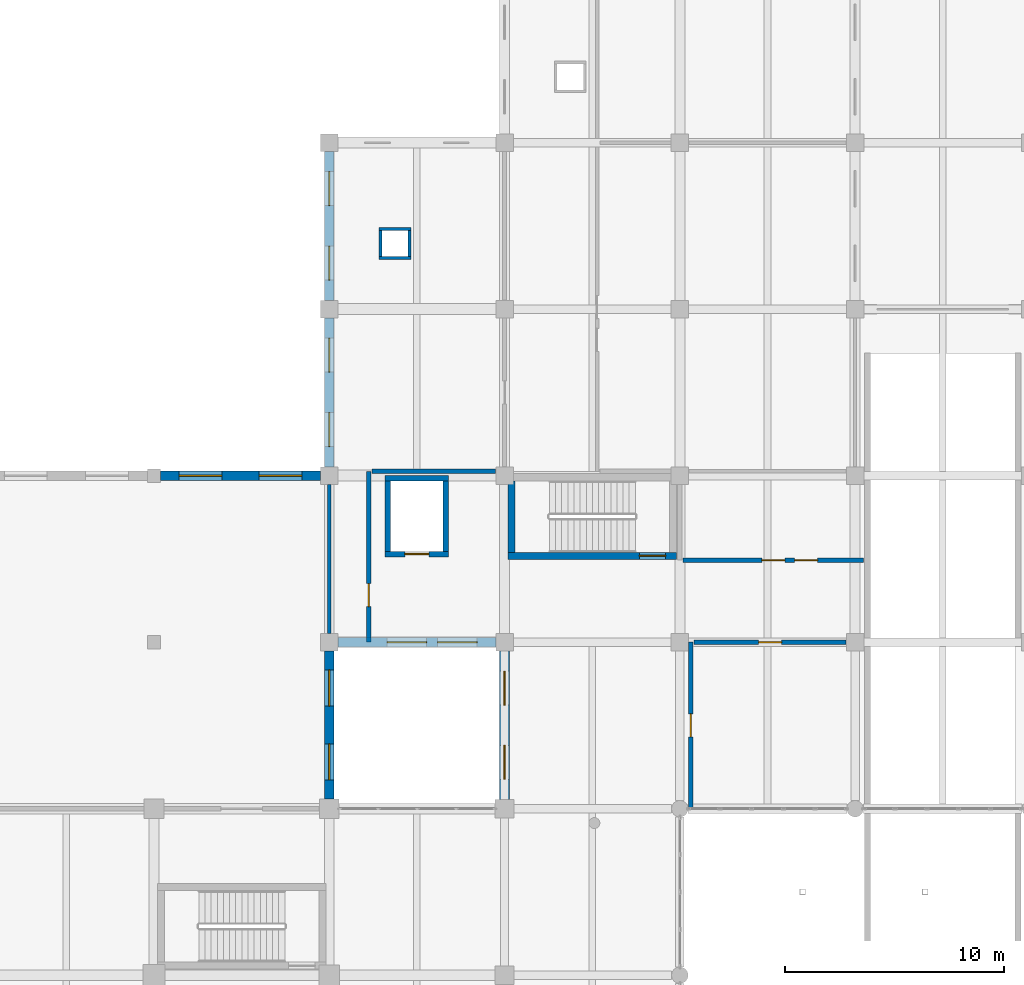
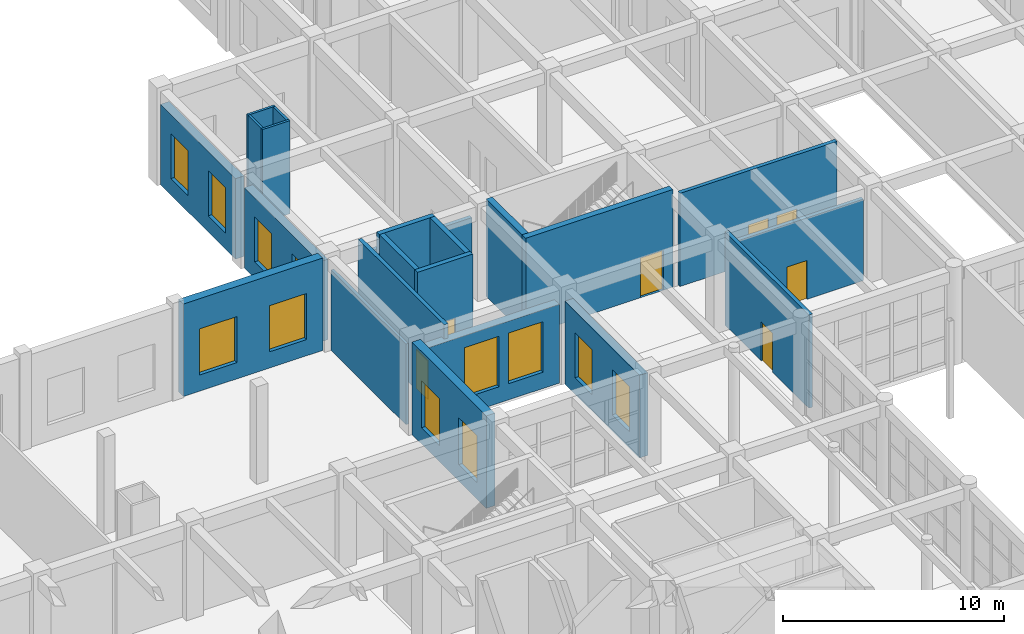
# One storey, part 79 of 95: 22 walls, 12 windows, 7 doors, 19 openings.
"""IFC4 building model written with IfcOpenShell, lengths in metres."""

from ifc_helpers import new_model, si_unit, direction, frame, frame_2d, origin, place, context, subcontext, project, spatial, rectangle, extrude, material, layer, layer_set, type_object, element, fill, save


model = new_model("IFC4")

# Units and contexts
model_context = context("Model", 3, precision=1e-05, world=origin(), true_north=direction((0.0, 1.0)))
body_context = subcontext(model_context, "Body", "Model", "MODEL_VIEW")
ifc_project = project(units=[si_unit("LENGTHUNIT", "METRE"), si_unit("AREAUNIT", "SQUARE_METRE"), si_unit("VOLUMEUNIT", "CUBIC_METRE"), si_unit("PLANEANGLEUNIT", "RADIAN"), si_unit("MASSUNIT", "GRAM", prefix="KILO")], contexts=[model_context])

# Site, building, storey
site_placement = place(None, origin())
site = spatial("IfcSite", under=ifc_project, at=site_placement, CompositionType="ELEMENT")
building_placement = place(site_placement, origin())
building = spatial("IfcBuilding", under=site, at=building_placement, Name="Zantavel Square City Hall", CompositionType="ELEMENT")
storey_placement = place(building_placement, origin())
storey = spatial("IfcBuildingStorey", under=building, at=storey_placement, Name="L01", CompositionType="ELEMENT", Elevation=0.0)

# Wall, opening, door
ifc_material_1 = material(Name="Concrete C40/50", Category="concrete")
ifc_layer_1 = layer(ifc_material_1, 0.320068359375, Name="Concrete C40/50")
ifc_layer_set_1 = layer_set([ifc_layer_1], Name="Concrete C40/50")
wall_type_1 = type_object("IfcWallType", Name="Core Shear Wall RC 320mm C40/50", PredefinedType="SHEAR", material=ifc_layer_set_1)
wall_1_placement = place(storey_placement, frame((119.85009765625, 79.93994140625, 0.0), z_axis=(0.0, 0.0, 1.0), x_axis=(-1.0, 0.0, 0.0)))
wall_1 = element("IfcWall", 1, at=wall_1_placement, inside=storey, type_object=wall_type_1, Name="L01 Exit Stair 2 North-East Core Shear Wall South", PredefinedType="SHEAR", context=body_context, shape_type="SweptSolid", body=[
    extrude(rectangle(XDim=7.7001953125, YDim=0.320068359375, at=frame_2d((3.85009765625, 0.0))), origin(), (0.0, 0.0, 1.0), 5.39990234375),
])
opening_1_placement = place(wall_1_placement, frame((0.5, 0.0, 0.0)))
opening_1 = element("IfcOpeningElement", 2, at=opening_1_placement, cuts=wall_1, Name="Opening SD-008", PredefinedType="OPENING", context=body_context, shape_type="SweptSolid", body=[
    extrude(rectangle(XDim=1.199951171875, YDim=2.199951171875, at=frame_2d((0.60009765625, 1.10009765625))), frame((0.0, 0.169921875, 0.0), z_axis=(0.0, -1.0, 0.0), x_axis=(1.0, 0.0, 0.0)), (0.0, 0.0, 1.0), 0.340087890625),
])
ifc_material_2 = material(Name="Steel ASTM A500 Grade B", Category="steel")
door_type_1 = type_object("IfcDoorType", Name="Enclosed Exit Stairwell Fire Door 1200x2200 FD90S", OperationType="NOTDEFINED", PredefinedType="DOOR", material=ifc_material_2)
door_1_placement = place(opening_1_placement, origin())
door_1 = element("IfcDoor", 3, at=door_1_placement, inside=storey, type_object=door_type_1, Name="L01 Exit Stair 2 North-East Core Fire Door", OperationType="SINGLE_SWING_RIGHT", OverallHeight=2.199951171875, OverallWidth=1.199951171875, PredefinedType="DOOR", context=body_context, shape_type="SweptSolid", body=[
    extrude(rectangle(XDim=1.199951171875, YDim=2.199951171875, at=frame_2d((0.60009765625, 1.10009765625))), frame((0.0, 0.02490234375, 0.0), z_axis=(0.0, -1.0, 0.0), x_axis=(1.0, 0.0, 0.0)), (0.0, 0.0, 1.0), 0.050048828125),
])
fill(opening_1, door_1)

# Walls
wall_2_placement = place(storey_placement, frame((112.31005859375, 80.10009765625, 0.0), z_axis=(0.0, 0.0, 1.0), x_axis=(0.0, 1.0, 0.0)))
element("IfcWall", 4, at=wall_2_placement, inside=storey, type_object=wall_type_1, Name="L01 Exit Stair 2 North-East Core Shear Wall West", PredefinedType="SHEAR", context=body_context, shape_type="SweptSolid", body=[
    extrude(rectangle(XDim=3.27001953125, YDim=0.320068359375, at=frame_2d((1.635009765625, 0.0))), origin(), (0.0, 0.0, 1.0), 5.39990234375),
])
ifc_material_3 = material(Name="Gypsum acoustic stud assembly", Category="masonry")
ifc_layer_2 = layer(ifc_material_3, 0.14990234375, Name="Gypsum acoustic stud assembly")
ifc_layer_set_2 = layer_set([ifc_layer_2], Name="Gypsum acoustic stud assembly")
wall_type_2 = type_object("IfcWallType", Name="Department Office Partition 150mm", PredefinedType="PARTITIONING", material=ifc_layer_set_2)
wall_3_placement = place(storey_placement, frame((104.0, 83.18994140625, 0.0), z_axis=(0.0, 0.0, 1.0), x_axis=(0.0, -1.0, 0.0)))
element("IfcWall", 5, at=wall_3_placement, inside=storey, type_object=wall_type_2, Name="L01 Interior Wall IW-L01-0145", PredefinedType="PARTITIONING", context=body_context, shape_type="SweptSolid", body=[
    extrude(rectangle(XDim=6.780029296875, YDim=0.14990234375, at=frame_2d((3.39013671875, 0.0))), origin(), (0.0, 0.0, 1.0), 4.4599609375),
])

# Wall, opening, door
ifc_material_4 = material(Name="Cantera volcanic tuff stone", Category="masonry")
ifc_layer_3 = layer(ifc_material_4, 0.199951171875, Name="Cantera volcanic tuff stone")
ifc_layer_set_3 = layer_set([ifc_layer_3], Name="Cantera volcanic tuff stone")
wall_type_3 = type_object("IfcWallType", Name="Exit Corridor Rated Wall 200mm", PredefinedType="STANDARD", material=ifc_layer_set_3)
wall_4_placement = place(storey_placement, frame((105.800048828125, 76.0, 0.0), z_axis=(0.0, 0.0, 1.0), x_axis=(0.0, 1.0, 0.0)))
wall_4 = element("IfcWall", 6, at=wall_4_placement, inside=storey, type_object=wall_type_3, Name="L01 Interior Wall IW-L01-0092", PredefinedType="STANDARD", context=body_context, shape_type="SweptSolid", body=[
    extrude(rectangle(XDim=7.800048828125, YDim=0.199951171875, at=frame_2d((3.89990234375, 0.0))), origin(), (0.0, 0.0, 1.0), 5.159912109375),
])
opening_2_placement = place(wall_4_placement, frame((1.625, 0.0, 0.0)))
opening_2 = element("IfcOpeningElement", 7, at=opening_2_placement, cuts=wall_4, Name="Opening D-0041", PredefinedType="OPENING", context=body_context, shape_type="SweptSolid", body=[
    extrude(rectangle(XDim=1.050048828125, YDim=2.14990234375, at=frame_2d((0.52490234375, 1.074951171875))), frame((0.0, 0.10986328125, 0.0), z_axis=(0.0, -1.0, 0.0), x_axis=(1.0, 0.0, 0.0)), (0.0, 0.0, 1.0), 0.219970703125),
])
ifc_material_5 = material(Name="Solid oak hardwood", Category="wood")
door_type_2 = type_object("IfcDoorType", Name="Corridor Office Oak Fire Door 1050x2150 FD60S", OperationType="NOTDEFINED", PredefinedType="DOOR", material=ifc_material_5)
door_2_placement = place(opening_2_placement, origin())
door_2 = element("IfcDoor", 8, at=door_2_placement, inside=storey, type_object=door_type_2, Name="L01 L01 Municipal Support Office 1 Door", OperationType="SINGLE_SWING_LEFT", OverallHeight=2.14990234375, OverallWidth=1.050048828125, PredefinedType="DOOR", context=body_context, shape_type="SweptSolid", body=[
    extrude(rectangle(XDim=1.050048828125, YDim=2.14990234375, at=frame_2d((0.52490234375, 1.074951171875))), frame((0.0, 0.02490234375, 0.0), z_axis=(0.0, -1.0, 0.0), x_axis=(1.0, 0.0, 0.0)), (0.0, 0.0, 1.0), 0.050048828125),
])
fill(opening_2, door_2)

# Wall
wall_5_placement = place(storey_placement, frame((105.949951171875, 83.800048828125, 0.0), z_axis=(0.0, 0.0, 1.0), x_axis=(1.0, 0.0, 0.0)))
element("IfcWall", 9, at=wall_5_placement, inside=storey, type_object=wall_type_3, Name="L01 Interior Wall IW-L01-0093", PredefinedType="STANDARD", context=body_context, shape_type="SweptSolid", body=[
    extrude(rectangle(XDim=5.64013671875, YDim=0.199951171875, at=frame_2d((2.820068359375, 0.0))), origin(), (0.0, 0.0, 1.0), 4.360107421875),
])

# Wall, opening, door
wall_6_placement = place(storey_placement, frame((120.5, 76.0, 0.0), z_axis=(0.0, 0.0, 1.0), x_axis=(0.0, -1.0, 0.0)))
wall_6 = element("IfcWall", 10, at=wall_6_placement, inside=storey, type_object=wall_type_3, Name="L01 Interior Wall IW-L01-0148", PredefinedType="STANDARD", context=body_context, shape_type="SweptSolid", body=[
    extrude(rectangle(XDim=7.60009765625, YDim=0.199951171875, at=frame_2d((3.800048828125, 0.0))), origin(), (0.0, 0.0, 1.0), 5.159912109375),
])
opening_3_placement = place(wall_6_placement, frame((3.27490234375, 0.0, 0.0)))
opening_3 = element("IfcOpeningElement", 11, at=opening_3_placement, cuts=wall_6, Name="Opening D-0055", PredefinedType="OPENING", context=body_context, shape_type="SweptSolid", body=[
    extrude(rectangle(XDim=1.050048828125, YDim=2.14990234375, at=frame_2d((0.52490234375, 1.074951171875))), frame((0.0, 0.10986328125, 0.0), z_axis=(0.0, -1.0, 0.0), x_axis=(1.0, 0.0, 0.0)), (0.0, 0.0, 1.0), 0.219970703125),
])
door_3_placement = place(opening_3_placement, origin())
door_3 = element("IfcDoor", 12, at=door_3_placement, inside=storey, type_object=door_type_2, Name="L01 L01 Municipal Support Office 4 Door", OperationType="SINGLE_SWING_LEFT", OverallHeight=2.14990234375, OverallWidth=1.050048828125, PredefinedType="DOOR", context=body_context, shape_type="SweptSolid", body=[
    extrude(rectangle(XDim=1.050048828125, YDim=2.14990234375, at=frame_2d((0.52490234375, 1.074951171875))), frame((0.0, 0.02490234375, 0.0), z_axis=(0.0, -1.0, 0.0), x_axis=(1.0, 0.0, 0.0)), (0.0, 0.0, 1.0), 0.050048828125),
])
fill(opening_3, door_3)

# Wall, openings, doors
wall_7_placement = place(storey_placement, frame((120.14990234375, 79.75, 0.0), z_axis=(0.0, 0.0, 1.0), x_axis=(1.0, 0.0, 0.0)))
wall_7 = element("IfcWall", 13, at=wall_7_placement, inside=storey, type_object=wall_type_3, Name="L01 Interior Wall IW-L01-0149", PredefinedType="STANDARD", context=body_context, shape_type="SweptSolid", body=[
    extrude(rectangle(XDim=8.22998046875, YDim=0.199951171875, at=frame_2d((4.114990234375, 0.0))), origin(), (0.0, 0.0, 1.0), 5.159912109375),
])
opening_4_placement = place(wall_7_placement, frame((3.590087890625, 0.0, 0.0)))
opening_4 = element("IfcOpeningElement", 14, at=opening_4_placement, cuts=wall_7, Name="Opening D-0056", PredefinedType="OPENING", context=body_context, shape_type="SweptSolid", body=[
    extrude(rectangle(XDim=1.050048828125, YDim=2.14990234375, at=frame_2d((0.52490234375, 1.074951171875))), frame((0.0, 0.10986328125, 0.0), z_axis=(0.0, -1.0, 0.0), x_axis=(1.0, 0.0, 0.0)), (0.0, 0.0, 1.0), 0.219970703125),
])
opening_5_placement = place(wall_7_placement, frame((5.090087890625, 0.0, 0.0)))
opening_5 = element("IfcOpeningElement", 15, at=opening_5_placement, cuts=wall_7, Name="Opening D-0074", PredefinedType="OPENING", context=body_context, shape_type="SweptSolid", body=[
    extrude(rectangle(XDim=1.050048828125, YDim=2.14990234375, at=frame_2d((0.52490234375, 1.074951171875))), frame((0.0, 0.10986328125, 0.0), z_axis=(0.0, -1.0, 0.0), x_axis=(1.0, 0.0, 0.0)), (0.0, 0.0, 1.0), 0.219970703125),
])
door_4_placement = place(opening_4_placement, origin())
door_4 = element("IfcDoor", 16, at=door_4_placement, inside=storey, type_object=door_type_2, Name="L01 L01 Municipal Support Office 3 Door", OperationType="SINGLE_SWING_RIGHT", OverallHeight=2.14990234375, OverallWidth=1.050048828125, PredefinedType="DOOR", context=body_context, shape_type="SweptSolid", body=[
    extrude(rectangle(XDim=1.050048828125, YDim=2.14990234375, at=frame_2d((0.52490234375, 1.074951171875))), frame((0.0, 0.02490234375, 0.0), z_axis=(0.0, -1.0, 0.0), x_axis=(1.0, 0.0, 0.0)), (0.0, 0.0, 1.0), 0.050048828125),
])
fill(opening_4, door_4)
door_5_placement = place(opening_5_placement, origin())
door_5 = element("IfcDoor", 17, at=door_5_placement, inside=storey, type_object=door_type_2, Name="L01 L01 Municipal Support Office 3 Door", OperationType="SINGLE_SWING_RIGHT", OverallHeight=2.14990234375, OverallWidth=1.050048828125, PredefinedType="DOOR", context=body_context, shape_type="SweptSolid", body=[
    extrude(rectangle(XDim=1.050048828125, YDim=2.14990234375, at=frame_2d((0.52490234375, 1.074951171875))), frame((0.0, 0.02490234375, 0.0), z_axis=(0.0, -1.0, 0.0), x_axis=(1.0, 0.0, 0.0)), (0.0, 0.0, 1.0), 0.050048828125),
])
fill(opening_5, door_5)

# Wall, opening, door
wall_8_placement = place(storey_placement, frame((127.590087890625, 76.0, 0.0), z_axis=(0.0, 0.0, 1.0), x_axis=(-1.0, 0.0, 0.0)))
wall_8 = element("IfcWall", 18, at=wall_8_placement, inside=storey, type_object=wall_type_3, Name="L01 Interior Wall IW-L01-0150", PredefinedType="STANDARD", context=body_context, shape_type="SweptSolid", body=[
    extrude(rectangle(XDim=6.940185546875, YDim=0.199951171875, at=frame_2d((3.47021484375, 0.0))), origin(), (0.0, 0.0, 1.0), 4.510009765625),
])
opening_6_placement = place(wall_8_placement, frame((2.945068359375, 0.0, 0.0)))
opening_6 = element("IfcOpeningElement", 19, at=opening_6_placement, cuts=wall_8, Name="Opening D-0057", PredefinedType="OPENING", context=body_context, shape_type="SweptSolid", body=[
    extrude(rectangle(XDim=1.050048828125, YDim=2.14990234375, at=frame_2d((0.52490234375, 1.074951171875))), frame((0.0, 0.10986328125, 0.0), z_axis=(0.0, -1.0, 0.0), x_axis=(1.0, 0.0, 0.0)), (0.0, 0.0, 1.0), 0.219970703125),
])
door_6_placement = place(opening_6_placement, origin())
door_6 = element("IfcDoor", 20, at=door_6_placement, inside=storey, type_object=door_type_2, Name="L01 L01 Municipal Support Office 4 Door", OperationType="SINGLE_SWING_LEFT", OverallHeight=2.14990234375, OverallWidth=1.050048828125, PredefinedType="DOOR", context=body_context, shape_type="SweptSolid", body=[
    extrude(rectangle(XDim=1.050048828125, YDim=2.14990234375, at=frame_2d((0.52490234375, 1.074951171875))), frame((0.0, 0.02490234375, 0.0), z_axis=(0.0, -1.0, 0.0), x_axis=(1.0, 0.0, 0.0)), (0.0, 0.0, 1.0), 0.050048828125),
])
fill(opening_6, door_6)

ifc_layer_4 = layer(ifc_material_1, 0.25, Name="Concrete C40/50")
ifc_layer_set_4 = layer_set([ifc_layer_4], Name="Concrete C40/50")
wall_type_4 = type_object("IfcWallType", Name="Lift Shaft Wall RC 250mm C40/50", PredefinedType="SHEAR", material=ifc_layer_set_4)
wall_9_placement = place(storey_placement, frame((109.449951171875, 80.02490234375, 0.0), z_axis=(0.0, 0.0, 1.0), x_axis=(-1.0, 0.0, 0.0)))
wall_9 = element("IfcWall", 21, at=wall_9_placement, inside=storey, type_object=wall_type_4, Name="L01 Lift LF06 Shaft Wall South", PredefinedType="SHEAR", context=body_context, shape_type="SweptSolid", body=[
    extrude(rectangle(XDim=2.89990234375, YDim=0.25, at=frame_2d((1.449951171875, 0.0))), origin(), (0.0, 0.0, 1.0), 5.39990234375),
])
opening_7_placement = place(wall_9_placement, frame((0.89990234375, 0.0, 0.0)))
opening_7 = element("IfcOpeningElement", 22, at=opening_7_placement, cuts=wall_9, Name="Opening LD-LF06-L01", PredefinedType="OPENING", context=body_context, shape_type="SweptSolid", body=[
    extrude(rectangle(XDim=1.10009765625, YDim=2.14990234375, at=frame_2d((0.550048828125, 1.074951171875))), frame((0.0, 0.135009765625, 0.0), z_axis=(0.0, -1.0, 0.0), x_axis=(1.0, 0.0, 0.0)), (0.0, 0.0, 1.0), 0.27001953125),
])
ifc_material_6 = material(Name="Stainless steel 316", Category="steel")
door_type_3 = type_object("IfcDoorType", Name="Lift Landing Sliding Door 1100x2150 FD90S", OperationType="NOTDEFINED", PredefinedType="DOOR", material=ifc_material_6)
door_7_placement = place(opening_7_placement, origin())
door_7 = element("IfcDoor", 23, at=door_7_placement, inside=storey, type_object=door_type_3, Name="L01 Lift LF06 Sliding Landing Door", OperationType="DOUBLE_DOOR_SLIDING", OverallHeight=2.14990234375, OverallWidth=1.10009765625, PredefinedType="DOOR", context=body_context, shape_type="SweptSolid", body=[
    extrude(rectangle(XDim=1.10009765625, YDim=2.14990234375, at=frame_2d((0.550048828125, 1.074951171875))), frame((0.0, 0.02490234375, 0.0), z_axis=(0.0, -1.0, 0.0), x_axis=(1.0, 0.0, 0.0)), (0.0, 0.0, 1.0), 0.050048828125),
])
fill(opening_7, door_7)

# Walls
wall_10_placement = place(storey_placement, frame((106.675048828125, 80.14990234375, 0.0), z_axis=(0.0, 0.0, 1.0), x_axis=(0.0, 1.0, 0.0)))
element("IfcWall", 24, at=wall_10_placement, inside=storey, type_object=wall_type_4, Name="L01 Lift LF06 Shaft Wall West", PredefinedType="SHEAR", context=body_context, shape_type="SweptSolid", body=[
    extrude(rectangle(XDim=3.2001953125, YDim=0.25, at=frame_2d((1.60009765625, 0.0))), origin(), (0.0, 0.0, 1.0), 5.39990234375),
])
wall_11_placement = place(storey_placement, frame((106.550048828125, 83.47509765625, 0.0), z_axis=(0.0, 0.0, 1.0), x_axis=(1.0, 0.0, 0.0)))
element("IfcWall", 25, at=wall_11_placement, inside=storey, type_object=wall_type_4, Name="L01 Lift LF06 Shaft Wall North", PredefinedType="SHEAR", context=body_context, shape_type="SweptSolid", body=[
    extrude(rectangle(XDim=2.89990234375, YDim=0.25, at=frame_2d((1.449951171875, 0.0))), origin(), (0.0, 0.0, 1.0), 5.39990234375),
])
wall_12_placement = place(storey_placement, frame((109.324951171875, 83.35009765625, 0.0), z_axis=(0.0, 0.0, 1.0), x_axis=(0.0, -1.0, 0.0)))
element("IfcWall", 26, at=wall_12_placement, inside=storey, type_object=wall_type_4, Name="L01 Lift LF06 Shaft Wall East", PredefinedType="SHEAR", context=body_context, shape_type="SweptSolid", body=[
    extrude(rectangle(XDim=3.2001953125, YDim=0.25, at=frame_2d((1.60009765625, 0.0))), origin(), (0.0, 0.0, 1.0), 5.39990234375),
])
ifc_material_7 = material(Name="Concrete C35/45", Category="concrete")
ifc_layer_5 = layer(ifc_material_7, 0.1201171875, Name="Concrete C35/45")
ifc_layer_set_5 = layer_set([ifc_layer_5], Name="Concrete C35/45")
wall_type_5 = type_object("IfcWallType", Name="Riser Chase Wall RC 120mm C35/45", PredefinedType="PARTITIONING", material=ifc_layer_set_5)
wall_13_placement = place(storey_placement, frame((107.719970703125, 93.5400390625, 0.0), z_axis=(0.0, 0.0, 1.0), x_axis=(-1.0, 0.0, 0.0)))
element("IfcWall", 27, at=wall_13_placement, inside=storey, type_object=wall_type_5, Name="L01 MEP Riser 21 Wall S", PredefinedType="PARTITIONING", context=body_context, shape_type="SweptSolid", body=[
    extrude(rectangle(XDim=1.43994140625, YDim=0.1201171875, at=frame_2d((0.719970703125, 0.0))), origin(), (0.0, 0.0, 1.0), 5.159912109375),
])
wall_14_placement = place(storey_placement, frame((106.340087890625, 93.60009765625, 0.0), z_axis=(0.0, 0.0, 1.0), x_axis=(0.0, 1.0, 0.0)))
element("IfcWall", 28, at=wall_14_placement, inside=storey, type_object=wall_type_5, Name="L01 MEP Riser 21 Wall W", PredefinedType="PARTITIONING", context=body_context, shape_type="SweptSolid", body=[
    extrude(rectangle(XDim=1.199951171875, YDim=0.1201171875, at=frame_2d((0.60009765625, 0.0))), origin(), (0.0, 0.0, 1.0), 5.159912109375),
])
wall_15_placement = place(storey_placement, frame((106.280029296875, 94.860107421875, 0.0), z_axis=(0.0, 0.0, 1.0), x_axis=(1.0, 0.0, 0.0)))
element("IfcWall", 29, at=wall_15_placement, inside=storey, type_object=wall_type_5, Name="L01 MEP Riser 21 Wall N", PredefinedType="PARTITIONING", context=body_context, shape_type="SweptSolid", body=[
    extrude(rectangle(XDim=1.43994140625, YDim=0.1201171875, at=frame_2d((0.719970703125, 0.0))), origin(), (0.0, 0.0, 1.0), 5.159912109375),
])
wall_16_placement = place(storey_placement, frame((107.659912109375, 94.800048828125, 0.0), z_axis=(0.0, 0.0, 1.0), x_axis=(0.0, -1.0, 0.0)))
element("IfcWall", 30, at=wall_16_placement, inside=storey, type_object=wall_type_5, Name="L01 MEP Riser 21 Wall E", PredefinedType="PARTITIONING", context=body_context, shape_type="SweptSolid", body=[
    extrude(rectangle(XDim=1.199951171875, YDim=0.1201171875, at=frame_2d((0.60009765625, 0.0))), origin(), (0.0, 0.0, 1.0), 5.159912109375),
])

# Wall, openings, windows
ifc_material_8 = material(Name="Tezontle volcanic basaltic scoria stone", Category="masonry")
ifc_layer_6 = layer(ifc_material_8, 0.43994140625, Name="Tezontle volcanic basaltic scoria stone")
ifc_layer_set_6 = layer_set([ifc_layer_6], Name="Tezontle volcanic basaltic scoria stone")
wall_type_6 = type_object("IfcWallType", Name="Tezontle Rusticated Plinth Wall 440mm", PredefinedType="STANDARD", material=ifc_layer_set_6)
wall_17_placement = place(storey_placement, frame((96.300048828125, 83.60009765625, 0.0), z_axis=(0.0, 0.0, 1.0), x_axis=(1.0, 0.0, 0.0)))
wall_17 = element("IfcWall", 31, at=wall_17_placement, inside=storey, type_object=wall_type_6, Name="L01 Exterior Wall EW-L01-028", PredefinedType="STANDARD", context=body_context, shape_type="SweptSolid", body=[
    extrude(rectangle(XDim=7.300048828125, YDim=0.43994140625, at=frame_2d((3.64990234375, 0.0))), origin(), (0.0, 0.0, 1.0), 5.1201171875),
])
opening_8_placement = place(wall_17_placement, frame((0.85009765625, 0.0, 0.89990234375)))
opening_8 = element("IfcOpeningElement", 32, at=opening_8_placement, cuts=wall_17, Name="Opening W-039", PredefinedType="OPENING", context=body_context, shape_type="SweptSolid", body=[
    extrude(rectangle(XDim=1.949951171875, YDim=2.550048828125, at=frame_2d((0.97509765625, 1.27490234375))), frame((0.0, 0.22998046875, 0.0), z_axis=(0.0, -1.0, 0.0), x_axis=(1.0, 0.0, 0.0)), (0.0, 0.0, 1.0), 0.4599609375),
])
opening_9_placement = place(wall_17_placement, frame((4.5, 0.0, 0.89990234375)))
opening_9 = element("IfcOpeningElement", 33, at=opening_9_placement, cuts=wall_17, Name="Opening W-040", PredefinedType="OPENING", context=body_context, shape_type="SweptSolid", body=[
    extrude(rectangle(XDim=1.949951171875, YDim=2.550048828125, at=frame_2d((0.97509765625, 1.27490234375))), frame((0.0, 0.22998046875, 0.0), z_axis=(0.0, -1.0, 0.0), x_axis=(1.0, 0.0, 0.0)), (0.0, 0.0, 1.0), 0.4599609375),
])
ifc_material_9 = material(Name="Tempered safety glass low-E double glazing", Category="glass")
window_type_1 = type_object("IfcWindowType", Name="Window Civic Concourse 1950x2550", PartitioningType="TRIPLE_PANEL_VERTICAL", PredefinedType="WINDOW", material=ifc_material_9)
window_1_placement = place(opening_8_placement, origin())
window_1 = element("IfcWindow", 34, at=window_1_placement, inside=storey, type_object=window_type_1, Name="L01 Window W-039", OverallHeight=2.550048828125, OverallWidth=1.949951171875, PartitioningType="TRIPLE_PANEL_VERTICAL", PredefinedType="WINDOW", context=body_context, shape_type="SweptSolid", body=[
    extrude(rectangle(XDim=1.949951171875, YDim=2.550048828125, at=frame_2d((0.97509765625, 1.27490234375))), frame((0.0, 0.030029296875, 0.0), z_axis=(0.0, -1.0, 0.0), x_axis=(1.0, 0.0, 0.0)), (0.0, 0.0, 1.0), 0.06005859375),
])
fill(opening_8, window_1)
window_2_placement = place(opening_9_placement, origin())
window_2 = element("IfcWindow", 35, at=window_2_placement, inside=storey, type_object=window_type_1, Name="L01 Window W-040", OverallHeight=2.550048828125, OverallWidth=1.949951171875, PartitioningType="TRIPLE_PANEL_VERTICAL", PredefinedType="WINDOW", context=body_context, shape_type="SweptSolid", body=[
    extrude(rectangle(XDim=1.949951171875, YDim=2.550048828125, at=frame_2d((0.97509765625, 1.27490234375))), frame((0.0, 0.030029296875, 0.0), z_axis=(0.0, -1.0, 0.0), x_axis=(1.0, 0.0, 0.0)), (0.0, 0.0, 1.0), 0.06005859375),
])
fill(opening_9, window_2)

wall_18_placement = place(storey_placement, frame((104.0, 84.0, 0.0), z_axis=(0.0, 0.0, 1.0), x_axis=(0.0, 1.0, 0.0)))
wall_18 = element("IfcWall", 36, at=wall_18_placement, inside=storey, type_object=wall_type_6, Name="L01 Exterior Wall EW-L01-029", PredefinedType="STANDARD", context=body_context, shape_type="SweptSolid", body=[
    extrude(rectangle(XDim=6.800048828125, YDim=0.43994140625, at=frame_2d((3.39990234375, 0.0))), origin(), (0.0, 0.0, 1.0), 4.4599609375),
])
opening_10_placement = place(wall_18_placement, frame((0.925048828125, 0.0, 0.89990234375)))
opening_10 = element("IfcOpeningElement", 37, at=opening_10_placement, cuts=wall_18, Name="Opening W-041", PredefinedType="OPENING", context=body_context, shape_type="SweptSolid", body=[
    extrude(rectangle(XDim=1.550048828125, YDim=2.5, at=frame_2d((0.77490234375, 1.25))), frame((0.0, 0.22998046875, 0.0), z_axis=(0.0, -1.0, 0.0), x_axis=(1.0, 0.0, 0.0)), (0.0, 0.0, 1.0), 0.4599609375),
])
opening_11_placement = place(wall_18_placement, frame((4.324951171875, 0.0, 0.89990234375)))
opening_11 = element("IfcOpeningElement", 38, at=opening_11_placement, cuts=wall_18, Name="Opening W-042", PredefinedType="OPENING", context=body_context, shape_type="SweptSolid", body=[
    extrude(rectangle(XDim=1.550048828125, YDim=2.5, at=frame_2d((0.77490234375, 1.25))), frame((0.0, 0.22998046875, 0.0), z_axis=(0.0, -1.0, 0.0), x_axis=(1.0, 0.0, 0.0)), (0.0, 0.0, 1.0), 0.4599609375),
])
window_type_2 = type_object("IfcWindowType", Name="Window Ground Annex 1550x2500", PartitioningType="DOUBLE_PANEL_VERTICAL", PredefinedType="WINDOW", material=ifc_material_9)
window_3_placement = place(opening_10_placement, origin())
window_3 = element("IfcWindow", 39, at=window_3_placement, inside=storey, type_object=window_type_2, Name="L01 Window W-041", OverallHeight=2.5, OverallWidth=1.550048828125, PartitioningType="DOUBLE_PANEL_VERTICAL", PredefinedType="WINDOW", context=body_context, shape_type="SweptSolid", body=[
    extrude(rectangle(XDim=1.550048828125, YDim=2.5, at=frame_2d((0.77490234375, 1.25))), frame((0.0, 0.030029296875, 0.0), z_axis=(0.0, -1.0, 0.0), x_axis=(1.0, 0.0, 0.0)), (0.0, 0.0, 1.0), 0.06005859375),
])
fill(opening_10, window_3)
window_4_placement = place(opening_11_placement, origin())
window_4 = element("IfcWindow", 40, at=window_4_placement, inside=storey, type_object=window_type_2, Name="L01 Window W-042", OverallHeight=2.5, OverallWidth=1.550048828125, PartitioningType="DOUBLE_PANEL_VERTICAL", PredefinedType="WINDOW", context=body_context, shape_type="SweptSolid", body=[
    extrude(rectangle(XDim=1.550048828125, YDim=2.5, at=frame_2d((0.77490234375, 1.25))), frame((0.0, 0.030029296875, 0.0), z_axis=(0.0, -1.0, 0.0), x_axis=(1.0, 0.0, 0.0)), (0.0, 0.0, 1.0), 0.06005859375),
])
fill(opening_11, window_4)

wall_19_placement = place(storey_placement, frame((104.0, 91.60009765625, 0.0), z_axis=(0.0, 0.0, 1.0), x_axis=(0.0, 1.0, 0.0)))
wall_19 = element("IfcWall", 41, at=wall_19_placement, inside=storey, type_object=wall_type_6, Name="L01 Exterior Wall EW-L01-030", PredefinedType="STANDARD", context=body_context, shape_type="SweptSolid", body=[
    extrude(rectangle(XDim=6.7998046875, YDim=0.43994140625, at=frame_2d((3.39990234375, 0.0))), origin(), (0.0, 0.0, 1.0), 4.4599609375),
])
opening_12_placement = place(wall_19_placement, frame((0.925048828125, 0.0, 0.89990234375)))
opening_12 = element("IfcOpeningElement", 42, at=opening_12_placement, cuts=wall_19, Name="Opening W-043", PredefinedType="OPENING", context=body_context, shape_type="SweptSolid", body=[
    extrude(rectangle(XDim=1.550048828125, YDim=2.5, at=frame_2d((0.77490234375, 1.25))), frame((0.0, 0.22998046875, 0.0), z_axis=(0.0, -1.0, 0.0), x_axis=(1.0, 0.0, 0.0)), (0.0, 0.0, 1.0), 0.4599609375),
])
opening_13_placement = place(wall_19_placement, frame((4.324951171875, 0.0, 0.89990234375)))
opening_13 = element("IfcOpeningElement", 43, at=opening_13_placement, cuts=wall_19, Name="Opening W-044", PredefinedType="OPENING", context=body_context, shape_type="SweptSolid", body=[
    extrude(rectangle(XDim=1.550048828125, YDim=2.5, at=frame_2d((0.77490234375, 1.25))), frame((0.0, 0.22998046875, 0.0), z_axis=(0.0, -1.0, 0.0), x_axis=(1.0, 0.0, 0.0)), (0.0, 0.0, 1.0), 0.4599609375),
])
window_5_placement = place(opening_12_placement, origin())
window_5 = element("IfcWindow", 44, at=window_5_placement, inside=storey, type_object=window_type_2, Name="L01 Window W-043", OverallHeight=2.5, OverallWidth=1.550048828125, PartitioningType="DOUBLE_PANEL_VERTICAL", PredefinedType="WINDOW", context=body_context, shape_type="SweptSolid", body=[
    extrude(rectangle(XDim=1.550048828125, YDim=2.5, at=frame_2d((0.77490234375, 1.25))), frame((0.0, 0.030029296875, 0.0), z_axis=(0.0, -1.0, 0.0), x_axis=(1.0, 0.0, 0.0)), (0.0, 0.0, 1.0), 0.06005859375),
])
fill(opening_12, window_5)
window_6_placement = place(opening_13_placement, origin())
window_6 = element("IfcWindow", 45, at=window_6_placement, inside=storey, type_object=window_type_2, Name="L01 Window W-044", OverallHeight=2.5, OverallWidth=1.550048828125, PartitioningType="DOUBLE_PANEL_VERTICAL", PredefinedType="WINDOW", context=body_context, shape_type="SweptSolid", body=[
    extrude(rectangle(XDim=1.550048828125, YDim=2.5, at=frame_2d((0.77490234375, 1.25))), frame((0.0, 0.030029296875, 0.0), z_axis=(0.0, -1.0, 0.0), x_axis=(1.0, 0.0, 0.0)), (0.0, 0.0, 1.0), 0.06005859375),
])
fill(opening_13, window_6)

wall_20_placement = place(storey_placement, frame((112.0, 68.824951171875, 0.0), z_axis=(0.0, 0.0, 1.0), x_axis=(0.0, 1.0, 0.0)))
wall_20 = element("IfcWall", 46, at=wall_20_placement, inside=storey, type_object=wall_type_6, Name="L01 Exterior Wall EW-L01-122", PredefinedType="STANDARD", context=body_context, shape_type="SweptSolid", body=[
    extrude(rectangle(XDim=6.775146484375, YDim=0.43994140625, at=frame_2d((3.3876953125, 0.0))), origin(), (0.0, 0.0, 1.0), 4.580078125),
])
opening_14_placement = place(wall_20_placement, frame((0.918701171875, 0.0, 0.89990234375)))
opening_14 = element("IfcOpeningElement", 47, at=opening_14_placement, cuts=wall_20, Name="Opening W-143", PredefinedType="OPENING", context=body_context, shape_type="SweptSolid", body=[
    extrude(rectangle(XDim=1.550048828125, YDim=2.5, at=frame_2d((0.77490234375, 1.25))), frame((0.0, 0.22998046875, 0.0), z_axis=(0.0, -1.0, 0.0), x_axis=(1.0, 0.0, 0.0)), (0.0, 0.0, 1.0), 0.4599609375),
])
opening_15_placement = place(wall_20_placement, frame((4.30615234375, 0.0, 0.89990234375)))
opening_15 = element("IfcOpeningElement", 48, at=opening_15_placement, cuts=wall_20, Name="Opening W-144", PredefinedType="OPENING", context=body_context, shape_type="SweptSolid", body=[
    extrude(rectangle(XDim=1.550048828125, YDim=2.5, at=frame_2d((0.77490234375, 1.25))), frame((0.0, 0.22998046875, 0.0), z_axis=(0.0, -1.0, 0.0), x_axis=(1.0, 0.0, 0.0)), (0.0, 0.0, 1.0), 0.4599609375),
])
window_7_placement = place(opening_14_placement, origin())
window_7 = element("IfcWindow", 49, at=window_7_placement, inside=storey, type_object=window_type_2, Name="L01 Window W-143", OverallHeight=2.5, OverallWidth=1.550048828125, PartitioningType="DOUBLE_PANEL_VERTICAL", PredefinedType="WINDOW", context=body_context, shape_type="SweptSolid", body=[
    extrude(rectangle(XDim=1.550048828125, YDim=2.5, at=frame_2d((0.77490234375, 1.25))), frame((0.0, 0.030029296875, 0.0), z_axis=(0.0, -1.0, 0.0), x_axis=(1.0, 0.0, 0.0)), (0.0, 0.0, 1.0), 0.06005859375),
])
fill(opening_14, window_7)
window_8_placement = place(opening_15_placement, origin())
window_8 = element("IfcWindow", 50, at=window_8_placement, inside=storey, type_object=window_type_2, Name="L01 Window W-144", OverallHeight=2.5, OverallWidth=1.550048828125, PartitioningType="DOUBLE_PANEL_VERTICAL", PredefinedType="WINDOW", context=body_context, shape_type="SweptSolid", body=[
    extrude(rectangle(XDim=1.550048828125, YDim=2.5, at=frame_2d((0.77490234375, 1.25))), frame((0.0, 0.030029296875, 0.0), z_axis=(0.0, -1.0, 0.0), x_axis=(1.0, 0.0, 0.0)), (0.0, 0.0, 1.0), 0.06005859375),
])
fill(opening_15, window_8)

wall_21_placement = place(storey_placement, frame((111.60009765625, 76.0, 0.0), z_axis=(0.0, 0.0, 1.0), x_axis=(-1.0, 0.0, 0.0)))
wall_21 = element("IfcWall", 51, at=wall_21_placement, inside=storey, type_object=wall_type_6, Name="L01 Exterior Wall EW-L01-123", PredefinedType="STANDARD", context=body_context, shape_type="SweptSolid", body=[
    extrude(rectangle(XDim=7.2001953125, YDim=0.43994140625, at=frame_2d((3.60009765625, 0.0))), origin(), (0.0, 0.0, 1.0), 4.360107421875),
])
opening_16_placement = place(wall_21_placement, frame((0.853271484375, 0.0, 0.89990234375)))
opening_16 = element("IfcOpeningElement", 52, at=opening_16_placement, cuts=wall_21, Name="Opening W-145", PredefinedType="OPENING", context=body_context, shape_type="SweptSolid", body=[
    extrude(rectangle(XDim=1.800048828125, YDim=2.800048828125, at=frame_2d((0.89990234375, 1.39990234375))), frame((0.0, 0.22998046875, 0.0), z_axis=(0.0, -1.0, 0.0), x_axis=(1.0, 0.0, 0.0)), (0.0, 0.0, 1.0), 0.4599609375),
])
opening_17_placement = place(wall_21_placement, frame((3.15673828125, 0.0, 0.89990234375)))
opening_17 = element("IfcOpeningElement", 53, at=opening_17_placement, cuts=wall_21, Name="Opening W-146", PredefinedType="OPENING", context=body_context, shape_type="SweptSolid", body=[
    extrude(rectangle(XDim=1.800048828125, YDim=2.800048828125, at=frame_2d((0.89990234375, 1.39990234375))), frame((0.0, 0.22998046875, 0.0), z_axis=(0.0, -1.0, 0.0), x_axis=(1.0, 0.0, 0.0)), (0.0, 0.0, 1.0), 0.4599609375),
])
window_type_3 = type_object("IfcWindowType", Name="Window Portales Grand Arch 1800x2800", PartitioningType="DOUBLE_PANEL_VERTICAL", PredefinedType="WINDOW", material=ifc_material_9)
window_9_placement = place(opening_16_placement, origin())
window_9 = element("IfcWindow", 54, at=window_9_placement, inside=storey, type_object=window_type_3, Name="L01 Window W-145", OverallHeight=2.800048828125, OverallWidth=1.800048828125, PartitioningType="DOUBLE_PANEL_VERTICAL", PredefinedType="WINDOW", context=body_context, shape_type="SweptSolid", body=[
    extrude(rectangle(XDim=1.800048828125, YDim=2.800048828125, at=frame_2d((0.89990234375, 1.39990234375))), frame((0.0, 0.030029296875, 0.0), z_axis=(0.0, -1.0, 0.0), x_axis=(1.0, 0.0, 0.0)), (0.0, 0.0, 1.0), 0.06005859375),
])
fill(opening_16, window_9)
window_10_placement = place(opening_17_placement, origin())
window_10 = element("IfcWindow", 55, at=window_10_placement, inside=storey, type_object=window_type_3, Name="L01 Window W-146", OverallHeight=2.800048828125, OverallWidth=1.800048828125, PartitioningType="DOUBLE_PANEL_VERTICAL", PredefinedType="WINDOW", context=body_context, shape_type="SweptSolid", body=[
    extrude(rectangle(XDim=1.800048828125, YDim=2.800048828125, at=frame_2d((0.89990234375, 1.39990234375))), frame((0.0, 0.030029296875, 0.0), z_axis=(0.0, -1.0, 0.0), x_axis=(1.0, 0.0, 0.0)), (0.0, 0.0, 1.0), 0.06005859375),
])
fill(opening_17, window_10)

wall_22_placement = place(storey_placement, frame((104.0, 75.60009765625, 0.0), z_axis=(0.0, 0.0, 1.0), x_axis=(0.0, -1.0, 0.0)))
wall_22 = element("IfcWall", 56, at=wall_22_placement, inside=storey, type_object=wall_type_6, Name="L01 Exterior Wall EW-L01-124", PredefinedType="STANDARD", context=body_context, shape_type="SweptSolid", body=[
    extrude(rectangle(XDim=6.75, YDim=0.43994140625, at=frame_2d((3.375, 0.0))), origin(), (0.0, 0.0, 1.0), 5.1201171875),
])
opening_18_placement = place(wall_22_placement, frame((0.862548828125, 0.0, 0.89990234375)))
opening_18 = element("IfcOpeningElement", 57, at=opening_18_placement, cuts=wall_22, Name="Opening W-147", PredefinedType="OPENING", context=body_context, shape_type="SweptSolid", body=[
    extrude(rectangle(XDim=1.64990234375, YDim=2.60009765625, at=frame_2d((0.824951171875, 1.300048828125))), frame((0.0, 0.22998046875, 0.0), z_axis=(0.0, -1.0, 0.0), x_axis=(1.0, 0.0, 0.0)), (0.0, 0.0, 1.0), 0.4599609375),
])
opening_19_placement = place(wall_22_placement, frame((4.237548828125, 0.0, 0.89990234375)))
opening_19 = element("IfcOpeningElement", 58, at=opening_19_placement, cuts=wall_22, Name="Opening W-148", PredefinedType="OPENING", context=body_context, shape_type="SweptSolid", body=[
    extrude(rectangle(XDim=1.64990234375, YDim=2.60009765625, at=frame_2d((0.824951171875, 1.300048828125))), frame((0.0, 0.22998046875, 0.0), z_axis=(0.0, -1.0, 0.0), x_axis=(1.0, 0.0, 0.0)), (0.0, 0.0, 1.0), 0.4599609375),
])
window_type_4 = type_object("IfcWindowType", Name="Window Ground Civic Tall 1650x2600", PartitioningType="DOUBLE_PANEL_VERTICAL", PredefinedType="WINDOW", material=ifc_material_9)
window_11_placement = place(opening_18_placement, origin())
window_11 = element("IfcWindow", 59, at=window_11_placement, inside=storey, type_object=window_type_4, Name="L01 Window W-147", OverallHeight=2.60009765625, OverallWidth=1.64990234375, PartitioningType="DOUBLE_PANEL_VERTICAL", PredefinedType="WINDOW", context=body_context, shape_type="SweptSolid", body=[
    extrude(rectangle(XDim=1.64990234375, YDim=2.60009765625, at=frame_2d((0.824951171875, 1.300048828125))), frame((0.0, 0.030029296875, 0.0), z_axis=(0.0, -1.0, 0.0), x_axis=(1.0, 0.0, 0.0)), (0.0, 0.0, 1.0), 0.06005859375),
])
fill(opening_18, window_11)
window_12_placement = place(opening_19_placement, origin())
window_12 = element("IfcWindow", 60, at=window_12_placement, inside=storey, type_object=window_type_4, Name="L01 Window W-148", OverallHeight=2.60009765625, OverallWidth=1.64990234375, PartitioningType="DOUBLE_PANEL_VERTICAL", PredefinedType="WINDOW", context=body_context, shape_type="SweptSolid", body=[
    extrude(rectangle(XDim=1.64990234375, YDim=2.60009765625, at=frame_2d((0.824951171875, 1.300048828125))), frame((0.0, 0.030029296875, 0.0), z_axis=(0.0, -1.0, 0.0), x_axis=(1.0, 0.0, 0.0)), (0.0, 0.0, 1.0), 0.06005859375),
])
fill(opening_19, window_12)

save(model, "model.ifc")
